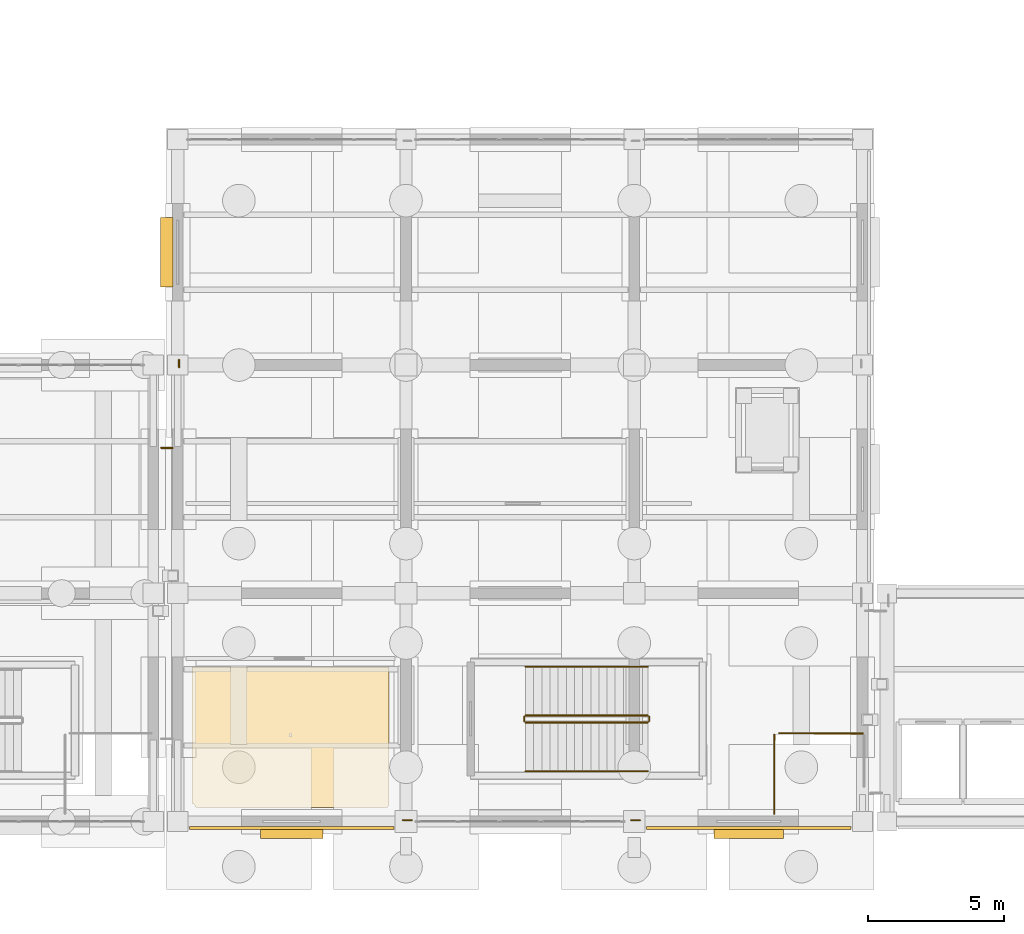
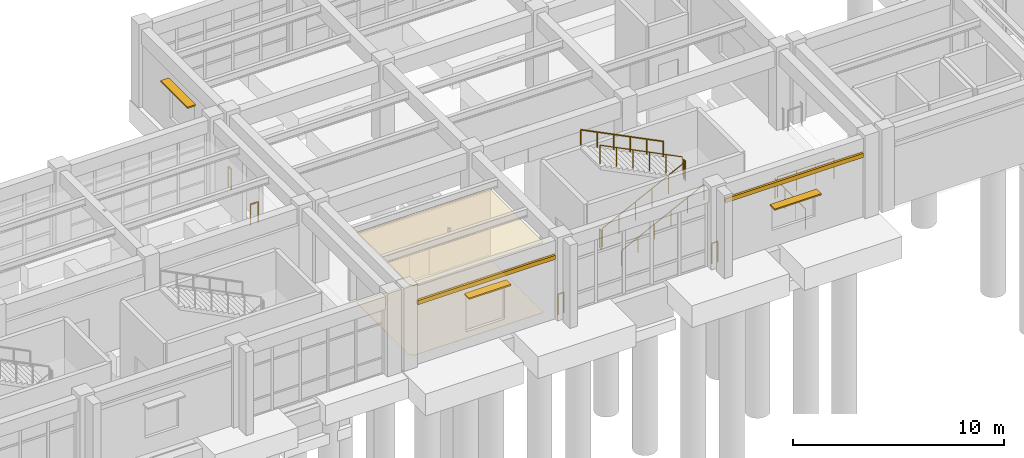
# One storey, part 102 of 111: 12 railings, 4 coverings, 3 shading devices.
"""IFC4 building model written with IfcOpenShell, lengths in metres."""

from ifc_helpers import new_model, si_unit, direction, frame, origin, origin_2d, place, context, subcontext, project, spatial, polyline, rectangle, circle, outline, extrude, material, layer, layer_set, type_object, element, save


model = new_model("IFC4")

# Units and contexts
model_context = context("Model", 3, precision=1e-05, world=origin(), true_north=direction((0.0, 1.0)))
body_context = subcontext(model_context, "Body", "Model", "MODEL_VIEW")
ifc_project = project(units=[si_unit("LENGTHUNIT", "METRE"), si_unit("AREAUNIT", "SQUARE_METRE"), si_unit("VOLUMEUNIT", "CUBIC_METRE"), si_unit("PLANEANGLEUNIT", "RADIAN"), si_unit("MASSUNIT", "GRAM", prefix="KILO")], contexts=[model_context])

# Site, building, storey
site_placement = place(None, origin())
site = spatial("IfcSite", under=ifc_project, at=site_placement, CompositionType="ELEMENT")
building_placement = place(site_placement, origin())
building = spatial("IfcBuilding", under=site, at=building_placement, Name="Canglan Escarpment Cableway Terminal", CompositionType="ELEMENT")
storey_placement = place(building_placement, frame((0.0, 0.0, 4.800048828125)))
storey = spatial("IfcBuildingStorey", under=building, at=storey_placement, Name="L01", CompositionType="ELEMENT", Elevation=4.800048828125)

# Coverings
ifc_material_1 = material(Name="Micro-perforated acoustic aluminium ceiling", Category="aluminium")
ifc_layer_1 = layer(ifc_material_1, 0.0400390625, Name="Micro-perforated acoustic aluminium ceiling")
ifc_layer_set_1 = layer_set([ifc_layer_1], Name="Micro-perforated acoustic aluminium ceiling")
covering_type_1 = type_object("IfcCoveringType", Name="COV-CEIL-ACOUSTIC-40", PredefinedType="CEILING", material=ifc_layer_set_1)
covering_1_placement = place(storey_placement, frame((0.0, 0.0, 4.030029296875)))
element("IfcCovering", 1, at=covering_1_placement, inside=storey, type_object=covering_type_1, Name="Ticket Audit Office suspended acoustic ceiling", PredefinedType="CEILING", context=body_context, shape_type="SweptSolid", body=[
    extrude(outline(polyline([(112.033203125, 8.667236328125), (112.031494140625, 8.66796875), (112.02978515625, 8.668701171875), (112.0283203125, 8.669921875), (112.02685546875, 8.6708984375), (112.025390625, 8.67236328125), (112.024169921875, 8.673583984375), (112.023193359375, 8.67529296875), (112.022216796875, 8.677001953125), (112.021484375, 8.6787109375), (112.020751953125, 8.680419921875), (112.0205078125, 8.68212890625), (112.02001953125, 8.68408203125), (112.02001953125, 8.68603515625), (112.02001953125, 13.659912109375), (112.02001953125, 13.662109375), (112.0205078125, 13.663818359375), (112.02099609375, 13.665771484375), (112.021484375, 13.667724609375), (112.0224609375, 13.66943359375), (112.0234375, 13.671142578125), (112.0244140625, 13.672607421875), (112.02587890625, 13.674072265625), (112.02734375, 13.675537109375), (112.02880859375, 13.676513671875), (112.030517578125, 13.677490234375), (112.0322265625, 13.678466796875), (112.0341796875, 13.67919921875), (112.0361328125, 13.6796875), (112.0380859375, 13.679931640625), (112.0400390625, 13.679931640625), (119.260009765625, 13.679931640625), (119.261962890625, 13.679931640625), (119.263916015625, 13.6796875), (119.265869140625, 13.67919921875), (119.267578125, 13.678466796875), (119.269287109375, 13.677490234375), (119.27099609375, 13.676513671875), (119.272705078125, 13.675537109375), (119.274169921875, 13.674072265625), (119.275390625, 13.672607421875), (119.276611328125, 13.671142578125), (119.277587890625, 13.66943359375), (119.278564453125, 13.667724609375), (119.279052734375, 13.665771484375), (119.279541015625, 13.663818359375), (119.27978515625, 13.662109375), (119.280029296875, 13.659912109375), (119.280029296875, 8.618408203125), (119.27978515625, 8.6162109375), (119.279541015625, 8.6142578125), (119.279052734375, 8.6123046875), (119.2783203125, 8.610107421875), (119.27734375, 8.6083984375), (119.276123046875, 8.606689453125), (119.27490234375, 8.60498046875), (119.270263671875, 8.599853515625), (119.26953125, 8.59912109375), (119.25732421875, 8.58251953125), (119.2568359375, 8.581787109375), (119.24609375, 8.564208984375), (119.245849609375, 8.563232421875), (119.237060546875, 8.544677734375), (119.236572265625, 8.543701171875), (119.23291015625, 8.533203125), (119.232177734375, 8.531494140625), (119.231201171875, 8.52978515625), (119.230224609375, 8.5283203125), (119.22900390625, 8.52685546875), (119.227783203125, 8.525390625), (119.226318359375, 8.524169921875), (119.224609375, 8.523193359375), (119.22314453125, 8.522216796875), (119.221435546875, 8.521484375), (119.219482421875, 8.520751953125), (119.2177734375, 8.5205078125), (119.2158203125, 8.52001953125), (119.214111328125, 8.52001953125), (112.18603515625, 8.52001953125), (112.18408203125, 8.52001953125), (112.18212890625, 8.5205078125), (112.180419921875, 8.520751953125), (112.1787109375, 8.521484375), (112.177001953125, 8.522216796875), (112.17529296875, 8.523193359375), (112.173583984375, 8.524169921875), (112.17236328125, 8.525390625), (112.1708984375, 8.52685546875), (112.169921875, 8.5283203125), (112.168701171875, 8.52978515625), (112.16796875, 8.531494140625), (112.167236328125, 8.533203125), (112.163330078125, 8.543701171875), (112.1630859375, 8.544677734375), (112.154296875, 8.563232421875), (112.15380859375, 8.564208984375), (112.143310546875, 8.581787109375), (112.142578125, 8.58251953125), (112.13037109375, 8.59912109375), (112.129638671875, 8.599853515625), (112.115966796875, 8.615234375), (112.115234375, 8.615966796875), (112.099853515625, 8.629638671875), (112.09912109375, 8.63037109375), (112.08251953125, 8.642578125), (112.081787109375, 8.643310546875), (112.064208984375, 8.65380859375), (112.063232421875, 8.654296875), (112.044677734375, 8.6630859375), (112.043701171875, 8.663330078125), (112.033203125, 8.667236328125)])), origin(), (0.0, 0.0, 1.0), 0.0400390625),
])
ifc_material_2 = material(Name="Carved classical limestone cornice", Category="masonry")
ifc_layer_2 = layer(ifc_material_2, 0.1201171875, Name="Carved classical limestone cornice")
ifc_layer_set_2 = layer_set([ifc_layer_2], Name="Carved classical limestone cornice")
covering_type_2 = type_object("IfcCoveringType", Name="COV-CORNICE-STONE", PredefinedType="CLADDING", material=ifc_layer_set_2)
for number, where, z_axis, x_axis, name in (
    (2, (115.6875, 7.760009765625, 3.52490234375), (0.0, 0.0, 1.0), (1.0, 0.0, 0.0), "Classical carved limestone cornice CL-01"),
    (3, (132.512451171875, 7.760009765625, 3.52490234375), (0.0, 0.0, 1.0), (1.0, 0.0, 0.0), "Classical carved limestone cornice CL-01"),
):
    element("IfcCovering", number, at=place(storey_placement, frame(where, z_axis=z_axis, x_axis=x_axis)), inside=storey, type_object=covering_type_2, Name=name, PredefinedType="CLADDING", context=body_context, shape_type="SweptSolid", body=[
        extrude(rectangle(XDim=7.52490234375, YDim=0.1201171875, at=origin_2d()), origin(), (0.0, 0.0, 1.0), 0.239990234375),
    ])
ifc_material_3 = material(Name="Polished mineral terrazzo flooring", Category="concrete")
ifc_layer_3 = layer(ifc_material_3, 0.02001953125, Name="Polished mineral terrazzo flooring")
ifc_layer_set_3 = layer_set([ifc_layer_3], Name="Polished mineral terrazzo flooring")
covering_type_3 = type_object("IfcCoveringType", Name="COV-FLR-TERRAZZO-20", PredefinedType="FLOORING", material=ifc_layer_set_3)
covering_2_placement = place(storey_placement, origin())
element("IfcCovering", 4, at=covering_2_placement, inside=storey, type_object=covering_type_3, Name="Ticket Audit Office stone floor finish", PredefinedType="FLOORING", context=body_context, shape_type="SweptSolid", body=[
    extrude(outline(polyline([(112.033203125, 8.667236328125), (112.031494140625, 8.66796875), (112.02978515625, 8.668701171875), (112.0283203125, 8.669921875), (112.02685546875, 8.6708984375), (112.025390625, 8.67236328125), (112.024169921875, 8.673583984375), (112.023193359375, 8.67529296875), (112.022216796875, 8.677001953125), (112.021484375, 8.6787109375), (112.020751953125, 8.680419921875), (112.0205078125, 8.68212890625), (112.02001953125, 8.68408203125), (112.02001953125, 8.68603515625), (112.02001953125, 13.659912109375), (112.02001953125, 13.662109375), (112.0205078125, 13.663818359375), (112.02099609375, 13.665771484375), (112.021484375, 13.667724609375), (112.0224609375, 13.66943359375), (112.0234375, 13.671142578125), (112.0244140625, 13.672607421875), (112.02587890625, 13.674072265625), (112.02734375, 13.675537109375), (112.02880859375, 13.676513671875), (112.030517578125, 13.677490234375), (112.0322265625, 13.678466796875), (112.0341796875, 13.67919921875), (112.0361328125, 13.6796875), (112.0380859375, 13.679931640625), (112.0400390625, 13.679931640625), (119.260009765625, 13.679931640625), (119.261962890625, 13.679931640625), (119.263916015625, 13.6796875), (119.265869140625, 13.67919921875), (119.267578125, 13.678466796875), (119.269287109375, 13.677490234375), (119.27099609375, 13.676513671875), (119.272705078125, 13.675537109375), (119.274169921875, 13.674072265625), (119.275390625, 13.672607421875), (119.276611328125, 13.671142578125), (119.277587890625, 13.66943359375), (119.278564453125, 13.667724609375), (119.279052734375, 13.665771484375), (119.279541015625, 13.663818359375), (119.27978515625, 13.662109375), (119.280029296875, 13.659912109375), (119.280029296875, 8.618408203125), (119.27978515625, 8.6162109375), (119.279541015625, 8.6142578125), (119.279052734375, 8.6123046875), (119.2783203125, 8.610107421875), (119.27734375, 8.6083984375), (119.276123046875, 8.606689453125), (119.27490234375, 8.60498046875), (119.270263671875, 8.599853515625), (119.26953125, 8.59912109375), (119.25732421875, 8.58251953125), (119.2568359375, 8.581787109375), (119.24609375, 8.564208984375), (119.245849609375, 8.563232421875), (119.237060546875, 8.544677734375), (119.236572265625, 8.543701171875), (119.23291015625, 8.533203125), (119.232177734375, 8.531494140625), (119.231201171875, 8.52978515625), (119.230224609375, 8.5283203125), (119.22900390625, 8.52685546875), (119.227783203125, 8.525390625), (119.226318359375, 8.524169921875), (119.224609375, 8.523193359375), (119.22314453125, 8.522216796875), (119.221435546875, 8.521484375), (119.219482421875, 8.520751953125), (119.2177734375, 8.5205078125), (119.2158203125, 8.52001953125), (119.214111328125, 8.52001953125), (112.18603515625, 8.52001953125), (112.18408203125, 8.52001953125), (112.18212890625, 8.5205078125), (112.180419921875, 8.520751953125), (112.1787109375, 8.521484375), (112.177001953125, 8.522216796875), (112.17529296875, 8.523193359375), (112.173583984375, 8.524169921875), (112.17236328125, 8.525390625), (112.1708984375, 8.52685546875), (112.169921875, 8.5283203125), (112.168701171875, 8.52978515625), (112.16796875, 8.531494140625), (112.167236328125, 8.533203125), (112.163330078125, 8.543701171875), (112.1630859375, 8.544677734375), (112.154296875, 8.563232421875), (112.15380859375, 8.564208984375), (112.143310546875, 8.581787109375), (112.142578125, 8.58251953125), (112.13037109375, 8.59912109375), (112.129638671875, 8.599853515625), (112.115966796875, 8.615234375), (112.115234375, 8.615966796875), (112.099853515625, 8.629638671875), (112.09912109375, 8.63037109375), (112.08251953125, 8.642578125), (112.081787109375, 8.643310546875), (112.064208984375, 8.65380859375), (112.063232421875, 8.654296875), (112.044677734375, 8.6630859375), (112.043701171875, 8.663330078125), (112.033203125, 8.667236328125)])), origin(), (0.0, 0.0, 1.0), 0.02001953125),
])

# Railings
ifc_material_4 = material(Name="Carved limestone and anodized bronze balustrade", Category="masonry")
railing_type_1 = type_object("IfcRailingType", Name="RL-EXT-BALUSTRADE-1200", PredefinedType="BALUSTRADE", material=ifc_material_4)
railing_1_placement = place(storey_placement, frame((110.889892578125, 21.75, 0.0)))
element("IfcRailing", 5, at=railing_1_placement, inside=storey, type_object=railing_type_1, Name="Classical terrace balustrade guard GD-01 (L01)", PredefinedType="BALUSTRADE", context=body_context, shape_type="SweptSolid", body=[
    extrude(circle(Radius=0.02392578125, at=origin_2d()), frame((0.0, 0.0, 1.17578125), z_axis=(1.0, 0.0, 0.0), x_axis=(0.0, 1.0, 0.0)), (0.0, 0.0, 1.0), 0.420166015625),
    extrude(circle(Radius=0.02099609375, at=origin_2d()), origin(), (0.0, 0.0, 1.0), 1.15185546875),
    extrude(circle(Radius=0.02099609375, at=origin_2d()), frame((0.420166015625, 0.0, 0.0)), (0.0, 0.0, 1.0), 1.15185546875),
])
railing_2_placement = place(storey_placement, frame((111.550048828125, 24.715087890625, 0.0)))
element("IfcRailing", 6, at=railing_2_placement, inside=storey, type_object=railing_type_1, Name="Classical terrace balustrade guard GD-01 (L01)", PredefinedType="BALUSTRADE", context=body_context, shape_type="SweptSolid", body=[
    extrude(circle(Radius=0.02392578125, at=origin_2d()), frame((0.0, 0.0, 1.17578125), z_axis=(0.0, 1.0, 0.0), x_axis=(-1.0, 0.0, 0.0)), (0.0, 0.0, 1.0), 0.27001953125),
    extrude(circle(Radius=0.02099609375, at=origin_2d()), origin(), (0.0, 0.0, 1.0), 1.15185546875),
    extrude(circle(Radius=0.02099609375, at=origin_2d()), frame((0.0, 0.27001953125, 0.0)), (0.0, 0.0, 1.0), 1.15185546875),
])
railing_3_placement = place(storey_placement, frame((136.712646484375, 11.240478515625, 0.0)))
element("IfcRailing", 7, at=railing_3_placement, inside=storey, type_object=railing_type_1, Name="Classical terrace balustrade guard GD-01 (L01)", PredefinedType="BALUSTRADE", context=body_context, shape_type="SweptSolid", body=[
    extrude(circle(Radius=0.02392578125, at=origin_2d()), frame((0.0, 0.0, 1.17578125), z_axis=(-0.999995230249, 0.003088604893, 0.0), x_axis=(-0.003088604893, -0.999995230249, 0.0)), (0.0, 0.0, 1.0), 3.082763671875),
    extrude(circle(Radius=0.02099609375, at=origin_2d()), origin(), (0.0, 0.0, 1.0), 1.15185546875),
    extrude(circle(Radius=0.02099609375, at=origin_2d()), frame((-1.027587890625, 0.003173828125, 0.0)), (0.0, 0.0, 1.0), 1.15185546875),
    extrude(circle(Radius=0.02099609375, at=origin_2d()), frame((-2.05517578125, 0.00634765625, 0.0)), (0.0, 0.0, 1.0), 1.15185546875),
    extrude(circle(Radius=0.02099609375, at=origin_2d()), frame((-3.082763671875, 0.009521484375, 0.0)), (0.0, 0.0, 1.0), 1.15185546875),
])
railing_4_placement = place(storey_placement, frame((133.4560546875, 11.20068359375, 0.0)))
element("IfcRailing", 8, at=railing_4_placement, inside=storey, type_object=railing_type_1, Name="Classical terrace balustrade guard GD-01 (L01)", PredefinedType="BALUSTRADE", context=body_context, shape_type="SweptSolid", body=[
    extrude(circle(Radius=0.02392578125, at=origin_2d()), frame((0.0, 0.0, 1.17578125), z_axis=(-0.002096958986, -0.999997801379, 0.0), x_axis=(0.999997801379, -0.002096958986, 0.0)), (0.0, 0.0, 1.0), 2.91064453125),
    extrude(circle(Radius=0.02099609375, at=origin_2d()), origin(), (0.0, 0.0, 1.0), 1.15185546875),
    extrude(circle(Radius=0.02099609375, at=origin_2d()), frame((-0.001953125, -0.97021484375, 0.0)), (0.0, 0.0, 1.0), 1.15185546875),
    extrude(circle(Radius=0.02099609375, at=origin_2d()), frame((-0.004150390625, -1.9404296875, 0.0)), (0.0, 0.0, 1.0), 1.15185546875),
    extrude(circle(Radius=0.02099609375, at=origin_2d()), frame((-0.006103515625, -2.91064453125, 0.0)), (0.0, 0.0, 1.0), 1.15185546875),
])
for number, where, name in (
    (9, (128.510009765625, 8.050048828125, 0.0), "Classical terrace balustrade guard GD-01 (L01)"),
    (10, (120.110107421875, 8.050048828125, 0.0), "Classical terrace balustrade guard GD-01 (L01)"),
):
    element("IfcRailing", number, at=place(storey_placement, frame(where)), inside=storey, type_object=railing_type_1, Name=name, PredefinedType="BALUSTRADE", context=body_context, shape_type="SweptSolid", body=[
        extrude(circle(Radius=0.02392578125, at=origin_2d()), frame((0.0, 0.0, 1.17578125), z_axis=(-1.0, 0.0, 0.0), x_axis=(0.0, -1.0, 0.0)), (0.0, 0.0, 1.0), 0.320068359375),
        extrude(circle(Radius=0.02099609375, at=origin_2d()), origin(), (0.0, 0.0, 1.0), 1.15185546875),
        extrude(circle(Radius=0.02099609375, at=origin_2d()), frame((-0.320068359375, 0.0, 0.0)), (0.0, 0.0, 1.0), 1.15185546875),
    ])
ifc_material_5 = material(Name="Powder-coated steel stair balustrade", Category="steel")
railing_type_2 = type_object("IfcRailingType", Name="RL-STR-GUARD-1100", PredefinedType="BALUSTRADE", material=ifc_material_5)
railing_5_placement = place(storey_placement, frame((124.300048828125, 11.64990234375, 0.14990234375)))
element("IfcRailing", 11, at=railing_5_placement, inside=storey, type_object=railing_type_2, Name="L01 ST-07 stair guard 1", PredefinedType="BALUSTRADE", context=body_context, shape_type="SweptSolid", body=[
    extrude(circle(Radius=0.02392578125, at=origin_2d()), frame((0.0, 0.0, 1.076171875), z_axis=(0.894427191, 0.0, 0.4472135955), x_axis=(0.0, 1.0, 0.0)), (0.0, 0.0, 1.0), 5.03125),
    extrude(circle(Radius=0.02099609375, at=origin_2d()), origin(), (0.0, 0.0, 1.0), 1.052001953125),
    extrude(circle(Radius=0.02099609375, at=origin_2d()), frame((0.89990234375, 0.0, 0.449951171875)), (0.0, 0.0, 1.0), 1.052001953125),
    extrude(circle(Radius=0.02099609375, at=origin_2d()), frame((1.800048828125, 0.0, 0.89990234375)), (0.0, 0.0, 1.0), 1.052001953125),
    extrude(circle(Radius=0.02099609375, at=origin_2d()), frame((2.699951171875, 0.0, 1.35009765625)), (0.0, 0.0, 1.0), 1.052001953125),
    extrude(circle(Radius=0.02099609375, at=origin_2d()), frame((3.60009765625, 0.0, 1.800048828125)), (0.0, 0.0, 1.0), 1.052001953125),
    extrude(circle(Radius=0.02099609375, at=origin_2d()), frame((4.5, 0.0, 2.25)), (0.0, 0.0, 1.0), 1.052001953125),
])
railing_6_placement = place(storey_placement, frame((128.85009765625, 11.699951171875, 2.39990234375)))
element("IfcRailing", 12, at=railing_6_placement, inside=storey, type_object=railing_type_2, Name="L01 ST-07 stair guard 2", PredefinedType="BALUSTRADE", context=body_context, shape_type="SweptSolid", body=[
    extrude(circle(Radius=0.02392578125, at=origin_2d()), frame((0.0, 0.0, 1.076171875), z_axis=(0.0, 1.0, 0.0), x_axis=(-1.0, 0.0, 0.0)), (0.0, 0.0, 1.0), 0.150146484375),
    extrude(circle(Radius=0.02099609375, at=origin_2d()), origin(), (0.0, 0.0, 1.0), 1.052001953125),
    extrude(circle(Radius=0.02099609375, at=origin_2d()), frame((0.0, 0.150146484375, 0.0)), (0.0, 0.0, 1.0), 1.052001953125),
])
railing_7_placement = place(storey_placement, frame((128.800048828125, 11.89990234375, 2.550048828125)))
element("IfcRailing", 13, at=railing_7_placement, inside=storey, type_object=railing_type_2, Name="L01 ST-07 stair guard 3", PredefinedType="BALUSTRADE", context=body_context, shape_type="SweptSolid", body=[
    extrude(circle(Radius=0.02392578125, at=origin_2d()), frame((0.0, 0.0, 1.076171875), z_axis=(-0.894427191, 0.0, 0.4472135955), x_axis=(0.0, -1.0, 0.0)), (0.0, 0.0, 1.0), 5.03125),
    extrude(circle(Radius=0.02099609375, at=origin_2d()), origin(), (0.0, 0.0, 1.0), 1.052001953125),
    extrude(circle(Radius=0.02099609375, at=origin_2d()), frame((-0.89990234375, 0.0, 0.449951171875)), (0.0, 0.0, 1.0), 1.052001953125),
    extrude(circle(Radius=0.02099609375, at=origin_2d()), frame((-1.800048828125, 0.0, 0.89990234375)), (0.0, 0.0, 1.0), 1.052001953125),
    extrude(circle(Radius=0.02099609375, at=origin_2d()), frame((-2.699951171875, 0.0, 1.35009765625)), (0.0, 0.0, 1.0), 1.052001953125),
    extrude(circle(Radius=0.02099609375, at=origin_2d()), frame((-3.60009765625, 0.0, 1.800048828125)), (0.0, 0.0, 1.0), 1.052001953125),
    extrude(circle(Radius=0.02099609375, at=origin_2d()), frame((-4.5, 0.0, 2.25)), (0.0, 0.0, 1.0), 1.052001953125),
])
railing_8_placement = place(storey_placement, frame((124.25, 11.699951171875, 0.0)))
element("IfcRailing", 14, at=railing_8_placement, inside=storey, type_object=railing_type_2, Name="L01 ST-07 stair guard 4", PredefinedType="BALUSTRADE", context=body_context, shape_type="SweptSolid", body=[
    extrude(circle(Radius=0.02392578125, at=origin_2d()), frame((0.0, 0.0, 1.076171875), z_axis=(0.0, 1.0, 0.0), x_axis=(-1.0, 0.0, 0.0)), (0.0, 0.0, 1.0), 0.150146484375),
    extrude(circle(Radius=0.02099609375, at=origin_2d()), origin(), (0.0, 0.0, 1.0), 1.052001953125),
    extrude(circle(Radius=0.02099609375, at=origin_2d()), frame((0.0, 0.150146484375, 0.0)), (0.0, 0.0, 1.0), 1.052001953125),
])
ifc_material_6 = material(Name="Brushed stainless steel 304 handrail", Category="steel")
railing_type_3 = type_object("IfcRailingType", Name="RL-STR-HR-900", PredefinedType="HANDRAIL", material=ifc_material_6)
railing_9_placement = place(storey_placement, frame((124.300048828125, 9.85009765625, 0.14990234375)))
element("IfcRailing", 15, at=railing_9_placement, inside=storey, type_object=railing_type_3, Name="L01 ST-07 stair handrail 1", PredefinedType="HANDRAIL", context=body_context, shape_type="SweptSolid", body=[
    extrude(circle(Radius=0.02392578125, at=origin_2d()), frame((0.0, 0.0, 0.8759765625), z_axis=(0.894427191, 0.0, 0.4472135955), x_axis=(0.0, 1.0, 0.0)), (0.0, 0.0, 1.0), 5.03125),
    extrude(circle(Radius=0.02099609375, at=origin_2d()), origin(), (0.0, 0.0, 1.0), 0.851806640625),
    extrude(circle(Radius=0.02099609375, at=origin_2d()), frame((0.89990234375, 0.0, 0.449951171875)), (0.0, 0.0, 1.0), 0.851806640625),
    extrude(circle(Radius=0.02099609375, at=origin_2d()), frame((1.800048828125, 0.0, 0.89990234375)), (0.0, 0.0, 1.0), 0.851806640625),
    extrude(circle(Radius=0.02099609375, at=origin_2d()), frame((2.699951171875, 0.0, 1.35009765625)), (0.0, 0.0, 1.0), 0.851806640625),
    extrude(circle(Radius=0.02099609375, at=origin_2d()), frame((3.60009765625, 0.0, 1.800048828125)), (0.0, 0.0, 1.0), 0.851806640625),
    extrude(circle(Radius=0.02099609375, at=origin_2d()), frame((4.5, 0.0, 2.25)), (0.0, 0.0, 1.0), 0.851806640625),
])
railing_10_placement = place(storey_placement, frame((128.800048828125, 13.699951171875, 2.550048828125)))
element("IfcRailing", 16, at=railing_10_placement, inside=storey, type_object=railing_type_3, Name="L01 ST-07 stair handrail 2", PredefinedType="HANDRAIL", context=body_context, shape_type="SweptSolid", body=[
    extrude(circle(Radius=0.02392578125, at=origin_2d()), frame((0.0, 0.0, 0.8759765625), z_axis=(-0.894427191, 0.0, 0.4472135955), x_axis=(0.0, -1.0, 0.0)), (0.0, 0.0, 1.0), 5.03125),
    extrude(circle(Radius=0.02099609375, at=origin_2d()), origin(), (0.0, 0.0, 1.0), 0.851806640625),
    extrude(circle(Radius=0.02099609375, at=origin_2d()), frame((-0.89990234375, 0.0, 0.449951171875)), (0.0, 0.0, 1.0), 0.851806640625),
    extrude(circle(Radius=0.02099609375, at=origin_2d()), frame((-1.800048828125, 0.0, 0.89990234375)), (0.0, 0.0, 1.0), 0.851806640625),
    extrude(circle(Radius=0.02099609375, at=origin_2d()), frame((-2.699951171875, 0.0, 1.35009765625)), (0.0, 0.0, 1.0), 0.851806640625),
    extrude(circle(Radius=0.02099609375, at=origin_2d()), frame((-3.60009765625, 0.0, 1.800048828125)), (0.0, 0.0, 1.0), 0.851806640625),
    extrude(circle(Radius=0.02099609375, at=origin_2d()), frame((-4.5, 0.0, 2.25)), (0.0, 0.0, 1.0), 0.851806640625),
])

# Shading devices
ifc_material_7 = material(Name="Anodized architectural bronze aluminium", Category="aluminium")
ifc_layer_4 = layer(ifc_material_7, 0.080078125, Name="Anodized architectural bronze aluminium")
ifc_layer_set_4 = layer_set([ifc_layer_4], Name="Anodized architectural bronze aluminium")
shading_device_type_1 = type_object("IfcShadingDeviceType", Name="SHD-BRONZE-LOUVRE-01", PredefinedType="JALOUSIE", material=ifc_layer_set_4)
shading_device_1_placement = place(storey_placement, frame((132.512451171875, 7.594970703125, 2.419921875), z_axis=(0.0, 0.0, 1.0), x_axis=(1.0, 0.0, 0.0)))
element("IfcShadingDevice", 17, at=shading_device_1_placement, inside=storey, type_object=shading_device_type_1, Name="Anodized bronze sun-shading brise-soleil SD-01", PredefinedType="JALOUSIE", context=body_context, shape_type="SweptSolid", body=[
    extrude(rectangle(XDim=2.550048828125, YDim=0.449951171875, at=origin_2d()), origin(), (0.0, 0.0, 1.0), 0.080078125),
])
ifc_layer_5 = layer(ifc_material_7, 0.10009765625, Name="Anodized architectural bronze aluminium")
ifc_layer_set_5 = layer_set([ifc_layer_5], Name="Anodized architectural bronze aluminium")
shading_device_type_2 = type_object("IfcShadingDeviceType", Name="SHD-BRONZE-LOUVRE-02", PredefinedType="JALOUSIE", material=ifc_layer_set_5)
shading_device_2_placement = place(storey_placement, frame((115.6875, 7.594970703125, 3.119873046875), z_axis=(0.0, 0.0, 1.0), x_axis=(1.0, 0.0, 0.0)))
element("IfcShadingDevice", 18, at=shading_device_2_placement, inside=storey, type_object=shading_device_type_2, Name="Anodized bronze sun-shading brise-soleil SD-01", PredefinedType="JALOUSIE", context=body_context, shape_type="SweptSolid", body=[
    extrude(rectangle(XDim=2.300048828125, YDim=0.449951171875, at=origin_2d()), origin(), (0.0, 0.0, 1.0), 0.080078125),
])
shading_device_3_placement = place(storey_placement, frame((111.094970703125, 28.949951171875, 3.119873046875), z_axis=(0.0, 0.0, 1.0), x_axis=(0.0, -1.0, 0.0)))
element("IfcShadingDevice", 19, at=shading_device_3_placement, inside=storey, type_object=shading_device_type_2, Name="Anodized bronze sun-shading brise-soleil SD-01", PredefinedType="JALOUSIE", context=body_context, shape_type="SweptSolid", body=[
    extrude(rectangle(XDim=2.550048828125, YDim=0.449951171875, at=origin_2d()), origin(), (0.0, 0.0, 1.0), 0.080078125),
])

save(model, "model.ifc")
